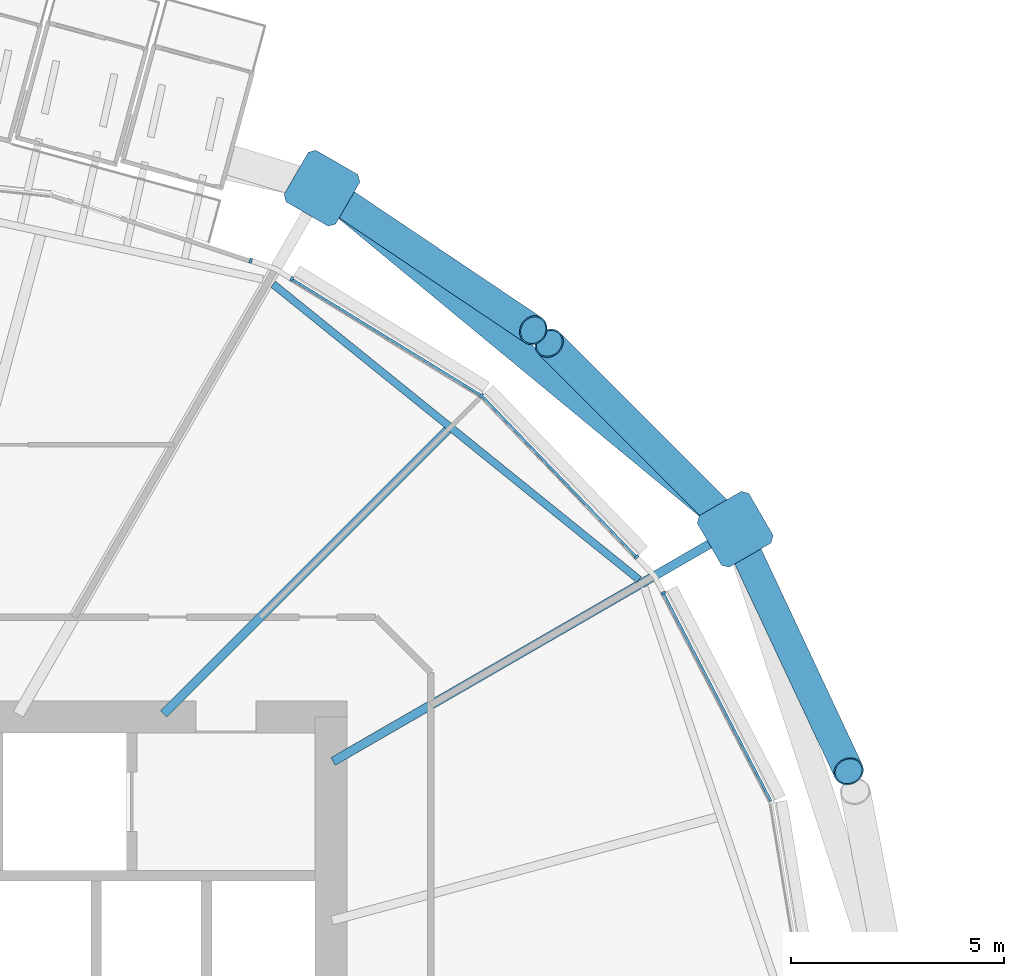
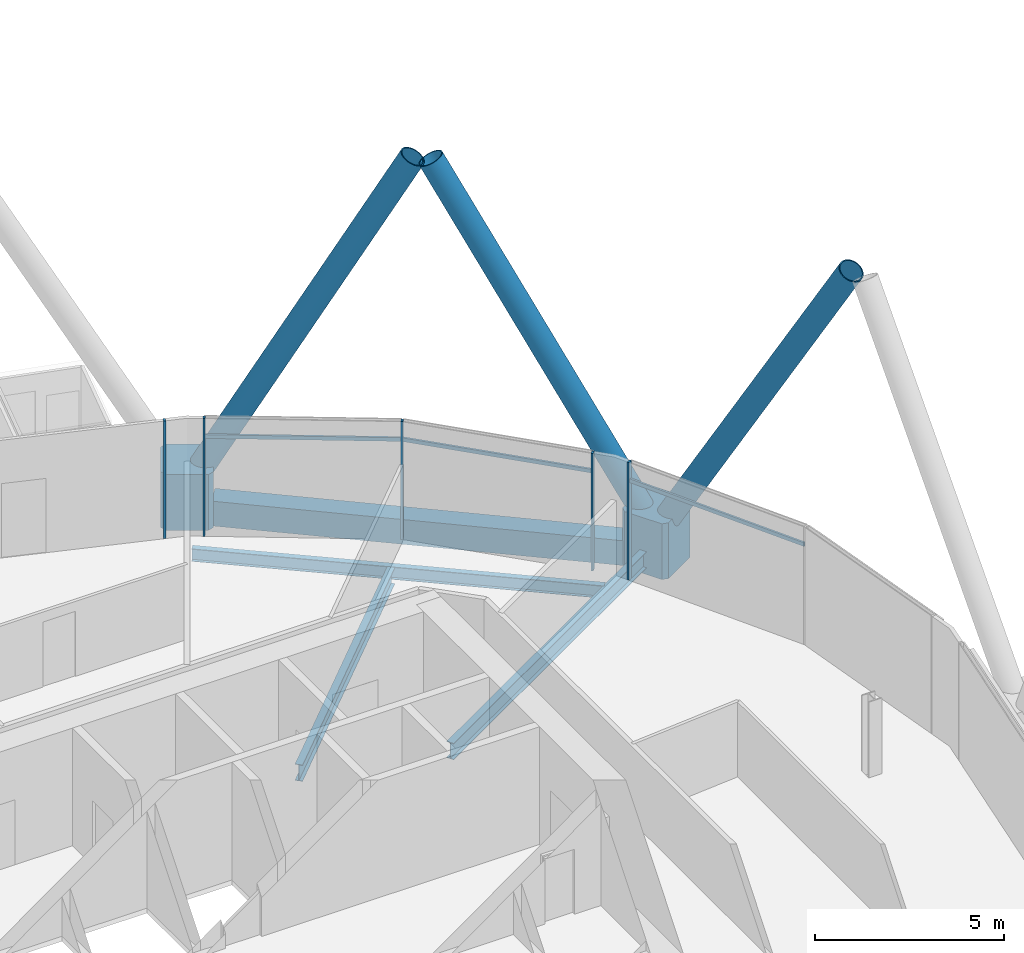
# One storey, part 13 of 38: 13 members, 4 beams, 1 element without a shape of its own.
"""IFC4 building model written with IfcOpenShell, lengths in metres."""

from ifc_helpers import new_model, si_unit, direction, frame, origin, origin_2d, place, context, subcontext, project, spatial, polyline, rectangle, hollow_rectangle, hollow_circle, i_section, outline, extrude, material, material_profile, profile_set, type_object, element, aggregate, save


model = new_model("IFC4")

# Units and contexts
model_context = context("Model", 3, precision=1e-05, world=origin(), true_north=direction((0.0, 1.0)))
body_context = subcontext(model_context, "Body", "Model", "MODEL_VIEW")
ifc_project = project(units=[si_unit("LENGTHUNIT", "METRE"), si_unit("AREAUNIT", "SQUARE_METRE"), si_unit("VOLUMEUNIT", "CUBIC_METRE"), si_unit("PLANEANGLEUNIT", "RADIAN"), si_unit("MASSUNIT", "GRAM", prefix="KILO")], contexts=[model_context])

# Site, building, storey
site_placement = place(None, origin())
site = spatial("IfcSite", under=ifc_project, at=site_placement, CompositionType="ELEMENT")
building_placement = place(site_placement, origin())
building = spatial("IfcBuilding", under=site, at=building_placement, Name="Rimbun Link Towers", CompositionType="ELEMENT")
storey_placement = place(building_placement, frame((0.0, 0.0, 104.39990234375)))
storey = spatial("IfcBuildingStorey", under=building, at=storey_placement, Name="L25", CompositionType="ELEMENT", Elevation=104.39990234375)

# Curtain wall, members
ifc_material_1 = material(Name="Aluminium 6063-T6 and low-iron glass", Category="aluminium")
curtain_wall_type = type_object("IfcCurtainWallType", Name="CW1-Z2 unitised vision wall (zone 2)", PredefinedType="NOTDEFINED", material=ifc_material_1)
curtain_wall_placement = place(storey_placement, origin())
curtain_wall = element("IfcCurtainWall", 1, at=curtain_wall_placement, inside=storey, type_object=curtain_wall_type, Name="CW1 L25 T1", PredefinedType="NOTDEFINED")
ifc_material_2 = material(Name="Aluminium 6063-T6", Category="aluminium")
ifc_material_profile_1 = material_profile(ifc_material_2, rectangle(XDim=0.1201171875, YDim=0.06005859375, at=origin_2d()), Name="MULLION 60X120")
ifc_profile_set_1 = profile_set([ifc_material_profile_1], Name="Aluminium 6063-T6")
member_type_1 = type_object("IfcMemberType", Name="CW1 mullion 60X120", PredefinedType="MULLION", material=ifc_profile_set_1)
member_1_placement = place(storey_placement, frame((-11.938720703125, 10.915771484375, 0.0), z_axis=(0.0, 0.0, 1.0), x_axis=(0.888149178193, 0.459555260307, 0.0)))
member_1 = element("IfcMember", 2, at=member_1_placement, type_object=member_type_1, Name="CW1 mullion", PredefinedType="MULLION", context=body_context, shape_type="SweptSolid", body=[
    extrude(rectangle(XDim=0.1201171875, YDim=0.06005859375, at=origin_2d()), origin(), (0.0, 0.0, 1.0), 3.800048828125),
])
member_2_placement = place(storey_placement, frame((-16.205810546875, 15.55322265625, 0.0), z_axis=(0.0, 0.0, 1.0), x_axis=(0.627670379428, 0.77847921924, 0.0)))
member_2 = element("IfcMember", 3, at=member_2_placement, type_object=member_type_1, Name="CW1 mullion", PredefinedType="MULLION", context=body_context, shape_type="SweptSolid", body=[
    extrude(rectangle(XDim=0.1201171875, YDim=0.06005859375, at=origin_2d()), origin(), (0.0, 0.0, 1.0), 3.800048828125),
])
member_3_placement = place(storey_placement, frame((-12.57080078125, 11.762451171875, 0.0), z_axis=(0.0, 0.0, 1.0), x_axis=(0.721844661886, 0.692055116379, 0.0)))
member_3 = element("IfcMember", 4, at=member_3_placement, type_object=member_type_1, Name="CW1 mullion", PredefinedType="MULLION", context=body_context, shape_type="SweptSolid", body=[
    extrude(rectangle(XDim=0.1201171875, YDim=0.06005859375, at=origin_2d()), origin(), (0.0, 0.0, 1.0), 3.800048828125),
])
member_4_placement = place(storey_placement, frame((-20.667236328125, 18.293212890625, 0.0), z_axis=(0.0, 0.0, 1.0), x_axis=(0.523241267863, 0.852184590101, 0.0)))
member_4 = element("IfcMember", 5, at=member_4_placement, type_object=member_type_1, Name="CW1 mullion", PredefinedType="MULLION", context=body_context, shape_type="SweptSolid", body=[
    extrude(rectangle(XDim=0.1201171875, YDim=0.06005859375, at=origin_2d()), origin(), (0.0, 0.0, 1.0), 3.800048828125),
])
member_5_placement = place(storey_placement, frame((-21.632568359375, 18.72314453125, 0.0), z_axis=(0.0, 0.0, 1.0), x_axis=(0.314562268358, 0.949236840481, 0.0)))
member_5 = element("IfcMember", 6, at=member_5_placement, type_object=member_type_1, Name="CW1 mullion", PredefinedType="MULLION", context=body_context, shape_type="SweptSolid", body=[
    extrude(rectangle(XDim=0.1201171875, YDim=0.06005859375, at=origin_2d()), origin(), (0.0, 0.0, 1.0), 3.800048828125),
])
ifc_material_3 = material(Name="Aluminium 6063-T6", Category="aluminium")
ifc_material_profile_2 = material_profile(ifc_material_3, rectangle(XDim=0.06005859375, YDim=0.1201171875, at=origin_2d()), Name="TRANSOM 60X120")
ifc_profile_set_2 = profile_set([ifc_material_profile_2], Name="Aluminium 6063-T6")
member_type_2 = type_object("IfcMemberType", Name="CW1 transom 60X120", PredefinedType="USERDEFINED", material=ifc_profile_set_2)
member_6_placement = place(storey_placement, frame((-11.9267578125, 10.88818359375, 3.2001953125), z_axis=(0.459574641535, -0.888139149491, 0.0), x_axis=(0.888139149491, 0.459574641535, 0.0)))
member_6 = element("IfcMember", 7, at=member_6_placement, type_object=member_type_2, Name="CW1 transom", ObjectType="TRANSOM", PredefinedType="USERDEFINED", context=body_context, shape_type="SweptSolid", body=[
    extrude(rectangle(XDim=0.06005859375, YDim=0.1201171875, at=origin_2d()), origin(), (0.0, 0.0, 1.0), 5.4716796875),
])
member_7_placement = place(storey_placement, frame((-16.1806640625, 15.525146484375, 3.2001953125), z_axis=(0.692020932869, -0.721877433137, 0.0), x_axis=(0.721877433137, 0.692020932869, 0.0)))
member_7 = element("IfcMember", 8, at=member_7_placement, type_object=member_type_2, Name="CW1 transom", ObjectType="TRANSOM", PredefinedType="USERDEFINED", context=body_context, shape_type="SweptSolid", body=[
    extrude(rectangle(XDim=0.06005859375, YDim=0.1201171875, at=origin_2d()), origin(), (0.0, 0.0, 1.0), 5.184326171875),
])
member_8_placement = place(storey_placement, frame((-20.642578125, 18.27587890625, 3.2001953125), z_axis=(0.852183421185, -0.52324317163, 0.0), x_axis=(0.52324317163, 0.852183421185, 0.0)))
member_8 = element("IfcMember", 9, at=member_8_placement, type_object=member_type_2, Name="CW1 transom", ObjectType="TRANSOM", PredefinedType="USERDEFINED", context=body_context, shape_type="SweptSolid", body=[
    extrude(rectangle(XDim=0.06005859375, YDim=0.1201171875, at=origin_2d()), origin(), (0.0, 0.0, 1.0), 5.16796875),
])
aggregate(curtain_wall, [member_1, member_2, member_3, member_4, member_5, member_6, member_7, member_8])

# Members
ifc_material_4 = material(Name="Steel S460NH", Category="steel")
ifc_material_profile_3 = material_profile(ifc_material_4, hollow_circle(Radius=0.355712890625, WallThickness=0.031982421875, at=origin_2d()), Name="Diagrid diagonal CHS 711x32")
ifc_profile_set_3 = profile_set([ifc_material_profile_3], Name="Steel S460NH")
member_type_3 = type_object("IfcMemberType", Name="Diagrid diagonal CHS 711x32", PredefinedType="BRACE", material=ifc_profile_set_3)
member_9_placement = place(storey_placement, frame((-10.144775390625, 12.18798828125, 0.43408203125), z_axis=(0.210941958424, -0.449866013374, 0.867827206411), x_axis=(0.90540690245, 0.42454486335, 0.0)))
element("IfcMember", 10, at=member_9_placement, inside=storey, type_object=member_type_3, Name="Diagrid diagonal T1 L25-L28 02a", PredefinedType="BRACE", context=body_context, shape_type="SweptSolid", body=[
    extrude(hollow_circle(Radius=0.355712890625, WallThickness=0.031982421875, at=origin_2d()), origin(), (0.0, 0.0, 1.0), 12.13623046875),
])
member_10_placement = place(storey_placement, frame((-10.423828125, 12.58642578125, 0.435791015625), z_axis=(-0.347179776941, 0.347220177218, 0.871151164274), x_axis=(-0.707147919551, -0.707065640428, 0.0)))
element("IfcMember", 11, at=member_10_placement, inside=storey, type_object=member_type_3, Name="Diagrid diagonal T1 L25-L28 02b", PredefinedType="BRACE", context=body_context, shape_type="SweptSolid", body=[
    extrude(hollow_circle(Radius=0.355712890625, WallThickness=0.031982421875, at=origin_2d()), origin(), (0.0, 0.0, 1.0), 12.086181640625),
])
member_11_placement = place(storey_placement, frame((-19.75830078125, 20.29248046875, 0.43896484375), z_axis=(0.397606804141, -0.267155437451, 0.877802256514), x_axis=(0.557708798998, 0.830036683238, 0.0)))
element("IfcMember", 12, at=member_11_placement, inside=storey, type_object=member_type_3, Name="Diagrid diagonal T1 L25-L28 04a", PredefinedType="BRACE", context=body_context, shape_type="SweptSolid", body=[
    extrude(hollow_circle(Radius=0.355712890625, WallThickness=0.031982421875, at=origin_2d()), origin(), (0.0, 0.0, 1.0), 11.987060546875),
])
ifc_material_5 = material(Name="Cast steel G20Mn5+QT, Rp0.2 300 MPa", Category="steel")
ifc_material_profile_4 = material_profile(ifc_material_5, outline(polyline([(0.699951171875, -0.570068359375), (0.699951171875, 0.570068359375), (0.570068359375, 0.699951171875), (-0.570068359375, 0.699951171875), (-0.699951171875, 0.570068359375), (-0.699951171875, -0.570068359375), (-0.570068359375, -0.699951171875), (0.570068359375, -0.699951171875), (0.699951171875, -0.570068359375)])), Name="NODE 1400x1400")
ifc_profile_set_4 = profile_set([ifc_material_profile_4], Name="Cast steel G20Mn5+QT, Rp0.2 300 MPa")
member_type_4 = type_object("IfcMemberType", Name="Diagrid node cast 1400", PredefinedType="USERDEFINED", material=ifc_profile_set_4)
for number, where, z_axis, x_axis, name in (
    (13, (-10.250244140625, 12.412841796875, -0.89990234375), (0.0, 0.0, 1.0), (0.866025403784, 0.5, 0.0), "Diagrid node L25 02"),
    (14, (-19.95703125, 20.426025390625, -0.89990234375), (0.0, 0.0, 1.0), (0.5, 0.866025403784, 0.0), "Diagrid node L25 04"),
):
    element("IfcMember", number, at=place(storey_placement, frame(where, z_axis=z_axis, x_axis=x_axis)), inside=storey, type_object=member_type_4, Name=name, ObjectType="Diagrid node", PredefinedType="USERDEFINED", context=body_context, shape_type="SweptSolid", body=[
        extrude(outline(polyline([(0.699951171875, -0.570068359375), (0.699951171875, 0.570068359375), (0.570068359375, 0.699951171875), (-0.570068359375, 0.699951171875), (-0.699951171875, 0.570068359375), (-0.699951171875, -0.570068359375), (-0.570068359375, -0.699951171875), (0.570068359375, -0.699951171875), (0.699951171875, -0.570068359375)])), origin(), (0.0, 0.0, 1.0), 1.800048828125),
    ])

# Beams
ifc_material_6 = material(Name="Steel S355J2", Category="steel")
ifc_material_profile_5 = material_profile(ifc_material_6, hollow_rectangle(XDim=0.60009765625, YDim=0.800048828125, WallThickness=0.0400390625, at=origin_2d()), Name="Exoskeleton ring girder BOX 600x800x40")
ifc_profile_set_5 = profile_set([ifc_material_profile_5], Name="Steel S355J2")
beam_type_1 = type_object("IfcBeamType", Name="Exoskeleton ring girder BOX 600x800x40", PredefinedType="BEAM", material=ifc_profile_set_5)
beam_1_placement = place(storey_placement, frame((-10.7900390625, 12.8583984375, -0.559814453125), z_axis=(-0.771169963545, 0.636629317048, 0.0), x_axis=(-0.636629317048, -0.771169963545, 0.0)))
element("IfcBeam", 15, at=beam_1_placement, inside=storey, type_object=beam_type_1, Name="Exoskeleton ring girder L25 01", PredefinedType="BEAM", context=body_context, shape_type="SweptSolid", body=[
    extrude(hollow_rectangle(XDim=0.60009765625, YDim=0.800048828125, WallThickness=0.0400390625, at=origin_2d()), origin(), (0.0, 0.0, 1.0), 11.187255859375),
])
ifc_material_7 = material(Name="Steel S355J2", Category="steel")
ifc_material_profile_6 = material_profile(ifc_material_7, i_section(OverallWidth=0.177978515625, OverallDepth=0.406494140625, WebThickness=0.0078125, FlangeThickness=0.0126953125, at=origin_2d()), Name="UB 406x178x60")
ifc_profile_set_6 = profile_set([ifc_material_profile_6], Name="Steel S355J2")
beam_type_2 = type_object("IfcBeamType", Name="UB 406x178x60", PredefinedType="BEAM", material=ifc_profile_set_6)
beam_2_placement = place(storey_placement, frame((-12.509765625, 11.230224609375, -0.363037109375), z_axis=(-0.77797774246, 0.628291836838, 0.0), x_axis=(-0.628291836838, -0.77797774246, 0.0)))
element("IfcBeam", 16, at=beam_2_placement, inside=storey, type_object=beam_type_2, Name="Edge beam T1 L25 02-04", PredefinedType="BEAM", context=body_context, shape_type="SweptSolid", body=[
    extrude(i_section(OverallWidth=0.177978515625, OverallDepth=0.406494140625, WebThickness=0.0078125, FlangeThickness=0.0126953125, at=origin_2d()), origin(), (0.0, 0.0, 1.0), 11.046875),
])
ifc_material_8 = material(Name="Steel S355J2", Category="steel")
ifc_material_profile_7 = material_profile(ifc_material_8, i_section(OverallWidth=0.209228515625, OverallDepth=0.533203125, WebThickness=0.010009765625, FlangeThickness=0.015625, at=origin_2d()), Name="UB 533x210x92")
ifc_profile_set_7 = profile_set([ifc_material_profile_7], Name="Steel S355J2")
beam_type_3 = type_object("IfcBeamType", Name="UB 533x210x92", PredefinedType="BEAM", material=ifc_profile_set_7)
beam_3_placement = place(storey_placement, frame((-19.69677734375, 6.958984375, -0.426513671875), z_axis=(0.866027380287, 0.499996576582, 0.0), x_axis=(-0.499996576582, 0.866027380287, 0.0)))
element("IfcBeam", 17, at=beam_3_placement, inside=storey, type_object=beam_type_3, Name="Radial beam T1 L25 02", PredefinedType="BEAM", context=body_context, shape_type="SweptSolid", body=[
    extrude(i_section(OverallWidth=0.209228515625, OverallDepth=0.533203125, WebThickness=0.010009765625, FlangeThickness=0.015625, at=origin_2d()), origin(), (0.0, 0.0, 1.0), 10.40771484375),
])
beam_4_placement = place(storey_placement, frame((-23.67529296875, 8.07470703125, -0.426513671875), z_axis=(0.707106781187, 0.707106781187, 0.0), x_axis=(-0.707106781187, 0.707106781187, 0.0)))
element("IfcBeam", 18, at=beam_4_placement, inside=storey, type_object=beam_type_3, Name="Radial beam T1 L25 03", PredefinedType="BEAM", context=body_context, shape_type="SweptSolid", body=[
    extrude(i_section(OverallWidth=0.209228515625, OverallDepth=0.533203125, WebThickness=0.010009765625, FlangeThickness=0.015625, at=origin_2d()), origin(), (0.0, 0.0, 1.0), 9.433349609375),
])

save(model, "model.ifc")
